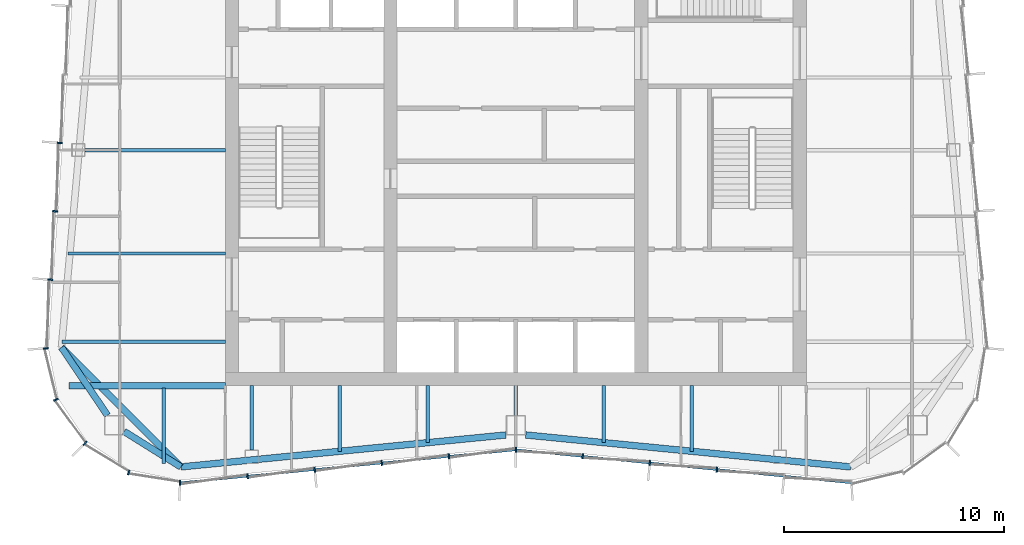
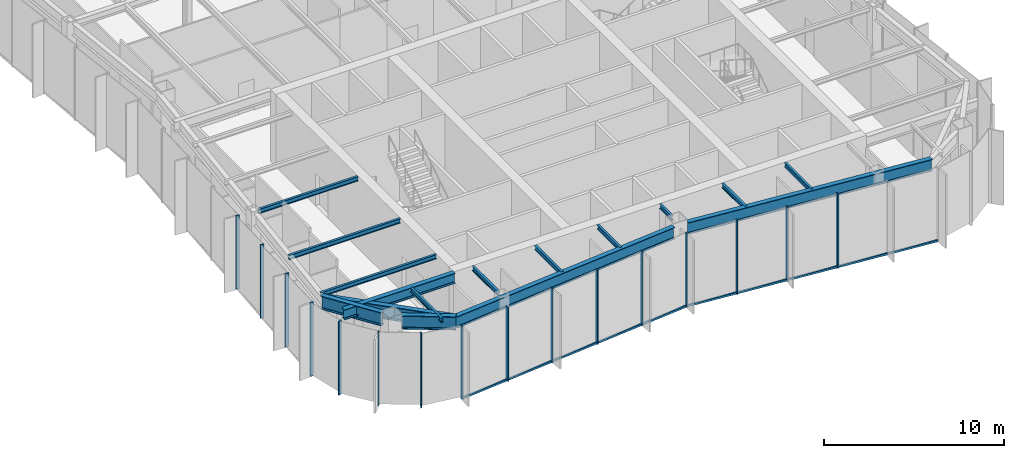
# One storey, part 3 of 14: 18 members, 16 beams, 3 elements without a shape of their own.
"""IFC4 building model written with IfcOpenShell, lengths in metres."""

from ifc_helpers import new_model, si_unit, direction, frame, origin, origin_2d, place, context, subcontext, project, spatial, rectangle, i_section, extrude, material, material_profile, profile_set, type_object, element, aggregate, save


model = new_model("IFC4")

# Units and contexts
model_context = context("Model", 3, precision=1e-05, world=origin(), true_north=direction((0.0, 1.0)))
body_context = subcontext(model_context, "Body", "Model", "MODEL_VIEW")
ifc_project = project(units=[si_unit("LENGTHUNIT", "METRE"), si_unit("AREAUNIT", "SQUARE_METRE"), si_unit("VOLUMEUNIT", "CUBIC_METRE"), si_unit("PLANEANGLEUNIT", "RADIAN"), si_unit("MASSUNIT", "GRAM", prefix="KILO")], contexts=[model_context])

# Site, building, storey
site_placement = place(None, origin())
site = spatial("IfcSite", under=ifc_project, at=site_placement, CompositionType="ELEMENT")
building_placement = place(site_placement, origin())
building = spatial("IfcBuilding", under=site, at=building_placement, Name="Verdant Reach Tower", CompositionType="ELEMENT")
storey_placement = place(building_placement, frame((0.0, 0.0, 289.0)))
storey = spatial("IfcBuildingStorey", under=building, at=storey_placement, Name="L66", CompositionType="ELEMENT", Elevation=289.0)

# Curtain wall, members
ifc_material_1 = material(Name="Anodised aluminium", Category="aluminium")
curtain_wall_type = type_object("IfcCurtainWallType", Name="EN-CW SYSTEM Z5", PredefinedType="NOTDEFINED", material=ifc_material_1)
curtain_wall_1_placement = place(storey_placement, origin())
curtain_wall_1 = element("IfcCurtainWall", 1, at=curtain_wall_1_placement, inside=storey, type_object=curtain_wall_type, Name="Curtain wall west, L66", PredefinedType="NOTDEFINED")
ifc_material_profile_1 = material_profile(ifc_material_1, rectangle(XDim=0.22998046875, YDim=0.070068359375, at=origin_2d()), Name="Mullion 70x230")
ifc_profile_set_1 = profile_set([ifc_material_profile_1], Name="Anodised aluminium")
member_type_1 = type_object("IfcMemberType", Name="EN-MULLION Z5", PredefinedType="MULLION", material=ifc_profile_set_1)
member_1_placement = place(storey_placement, frame((-20.721923828125, 28.829345703125, -0.35009765625), z_axis=(0.0, 0.0, 1.0), x_axis=(-0.997630328423, 0.068802091615, 0.0)))
member_1 = element("IfcMember", 2, at=member_1_placement, type_object=member_type_1, Name="Mullion west face part 2 5, L66", PredefinedType="MULLION", context=body_context, shape_type="SweptSolid", body=[
    extrude(rectangle(XDim=0.22998046875, YDim=0.070068359375, at=origin_2d()), origin(), (0.0, 0.0, 1.0), 5.0),
])
member_2_placement = place(storey_placement, frame((-20.93603515625, 25.72216796875, -0.35009765625), z_axis=(0.0, 0.0, 1.0), x_axis=(-0.997630328423, 0.068802091615, 0.0)))
member_2 = element("IfcMember", 3, at=member_2_placement, type_object=member_type_1, Name="Mullion west face part 2 6, L66", PredefinedType="MULLION", context=body_context, shape_type="SweptSolid", body=[
    extrude(rectangle(XDim=0.22998046875, YDim=0.070068359375, at=origin_2d()), origin(), (0.0, 0.0, 1.0), 5.0),
])
member_3_placement = place(storey_placement, frame((-21.150390625, 22.614990234375, -0.35009765625), z_axis=(0.0, 0.0, 1.0), x_axis=(-0.997630328423, 0.068802091615, 0.0)))
member_3 = element("IfcMember", 4, at=member_3_placement, type_object=member_type_1, Name="Mullion west face part 2 7, L66", PredefinedType="MULLION", context=body_context, shape_type="SweptSolid", body=[
    extrude(rectangle(XDim=0.22998046875, YDim=0.070068359375, at=origin_2d()), origin(), (0.0, 0.0, 1.0), 5.0),
])
aggregate(curtain_wall_1, [member_1, member_2, member_3])

curtain_wall_2_placement = place(storey_placement, origin())
curtain_wall_2 = element("IfcCurtainWall", 5, at=curtain_wall_2_placement, inside=storey, type_object=curtain_wall_type, Name="Curtain wall south-west corner, L66", PredefinedType="NOTDEFINED")
member_4_placement = place(storey_placement, frame((-21.36474609375, 19.49267578125, -0.35009765625), z_axis=(0.0, 0.0, 1.0), x_axis=(-0.997969180898, -0.063698618332, 0.0)))
member_4 = element("IfcMember", 6, at=member_4_placement, type_object=member_type_1, Name="Mullion south-west corner 1, L66", PredefinedType="MULLION", context=body_context, shape_type="SweptSolid", body=[
    extrude(rectangle(XDim=0.22998046875, YDim=0.070068359375, at=origin_2d()), origin(), (0.0, 0.0, 1.0), 5.0),
])
member_5_placement = place(storey_placement, frame((-20.899658203125, 17.159912109375, -0.35009765625), z_axis=(0.0, 0.0, 1.0), x_axis=(-0.923875215753, -0.382693853776, 0.0)))
member_5 = element("IfcMember", 7, at=member_5_placement, type_object=member_type_1, Name="Mullion south-west corner 2, L66", PredefinedType="MULLION", context=body_context, shape_type="SweptSolid", body=[
    extrude(rectangle(XDim=0.22998046875, YDim=0.070068359375, at=origin_2d()), origin(), (0.0, 0.0, 1.0), 5.0),
])
member_6_placement = place(storey_placement, frame((-19.573974609375, 15.176025390625, -0.35009765625), z_axis=(0.0, 0.0, 1.0), x_axis=(-0.707106781187, -0.707106781187, 0.0)))
member_6 = element("IfcMember", 8, at=member_6_placement, type_object=member_type_1, Name="Mullion south-west corner 3, L66", PredefinedType="MULLION", context=body_context, shape_type="SweptSolid", body=[
    extrude(rectangle(XDim=0.22998046875, YDim=0.070068359375, at=origin_2d()), origin(), (0.0, 0.0, 1.0), 5.0),
])
member_7_placement = place(storey_placement, frame((-17.590087890625, 13.850341796875, -0.35009765625), z_axis=(0.0, 0.0, 1.0), x_axis=(-0.382693853776, -0.923875215753, 0.0)))
member_7 = element("IfcMember", 9, at=member_7_placement, type_object=member_type_1, Name="Mullion south-west corner 4, L66", PredefinedType="MULLION", context=body_context, shape_type="SweptSolid", body=[
    extrude(rectangle(XDim=0.22998046875, YDim=0.070068359375, at=origin_2d()), origin(), (0.0, 0.0, 1.0), 5.0),
])
aggregate(curtain_wall_2, [member_4, member_5, member_6, member_7])

curtain_wall_3_placement = place(storey_placement, origin())
curtain_wall_3 = element("IfcCurtainWall", 10, at=curtain_wall_3_placement, inside=storey, type_object=curtain_wall_type, Name="Curtain wall south, L66", PredefinedType="NOTDEFINED")
member_8_placement = place(storey_placement, frame((-15.255615234375, 13.38525390625, -0.35009765625), z_axis=(0.0, 0.0, 1.0), x_axis=(-0.049127596288, -0.998792510626, 0.0)))
member_8 = element("IfcMember", 11, at=member_8_placement, type_object=member_type_1, Name="Mullion south face part 1 1, L66", PredefinedType="MULLION", context=body_context, shape_type="SweptSolid", body=[
    extrude(rectangle(XDim=0.22998046875, YDim=0.070068359375, at=origin_2d()), origin(), (0.0, 0.0, 1.0), 5.0),
])
member_9_placement = place(storey_placement, frame((-12.188720703125, 13.685546875, -0.35009765625), z_axis=(0.0, 0.0, 1.0), x_axis=(0.09788826992, -0.995197410875, 0.0)))
member_9 = element("IfcMember", 12, at=member_9_placement, type_object=member_type_1, Name="Mullion south face part 1 2, L66", PredefinedType="MULLION", context=body_context, shape_type="SweptSolid", body=[
    extrude(rectangle(XDim=0.22998046875, YDim=0.070068359375, at=origin_2d()), origin(), (0.0, 0.0, 1.0), 5.0),
])
member_10_placement = place(storey_placement, frame((-9.138671875, 13.985595703125, -0.35009765625), z_axis=(0.0, 0.0, 1.0), x_axis=(0.09788826992, -0.995197410875, 0.0)))
member_10 = element("IfcMember", 13, at=member_10_placement, type_object=member_type_1, Name="Mullion south face part 1 3, L66", PredefinedType="MULLION", context=body_context, shape_type="SweptSolid", body=[
    extrude(rectangle(XDim=0.22998046875, YDim=0.070068359375, at=origin_2d()), origin(), (0.0, 0.0, 1.0), 5.0),
])
member_11_placement = place(storey_placement, frame((-6.088623046875, 14.28564453125, -0.35009765625), z_axis=(0.0, 0.0, 1.0), x_axis=(0.09788826992, -0.995197410875, 0.0)))
member_11 = element("IfcMember", 14, at=member_11_placement, type_object=member_type_1, Name="Mullion south face part 1 4, L66", PredefinedType="MULLION", context=body_context, shape_type="SweptSolid", body=[
    extrude(rectangle(XDim=0.22998046875, YDim=0.070068359375, at=origin_2d()), origin(), (0.0, 0.0, 1.0), 5.0),
])
member_12_placement = place(storey_placement, frame((-3.038818359375, 14.58544921875, -0.35009765625), z_axis=(0.0, 0.0, 1.0), x_axis=(0.09788826992, -0.995197410875, 0.0)))
member_12 = element("IfcMember", 15, at=member_12_placement, type_object=member_type_1, Name="Mullion south face part 1 5, L66", PredefinedType="MULLION", context=body_context, shape_type="SweptSolid", body=[
    extrude(rectangle(XDim=0.22998046875, YDim=0.070068359375, at=origin_2d()), origin(), (0.0, 0.0, 1.0), 5.0),
])
member_13_placement = place(storey_placement, frame((0.0, 14.885009765625, -0.35009765625), z_axis=(0.0, 0.0, 1.0), x_axis=(0.0, -1.0, 0.0)))
member_13 = element("IfcMember", 16, at=member_13_placement, type_object=member_type_1, Name="Mullion south face part 2 1, L66", PredefinedType="MULLION", context=body_context, shape_type="SweptSolid", body=[
    extrude(rectangle(XDim=0.22998046875, YDim=0.070068359375, at=origin_2d()), origin(), (0.0, 0.0, 1.0), 5.0),
])
member_14_placement = place(storey_placement, frame((3.038818359375, 14.58544921875, -0.35009765625), z_axis=(0.0, 0.0, 1.0), x_axis=(-0.09788826992, -0.995197410875, 0.0)))
member_14 = element("IfcMember", 17, at=member_14_placement, type_object=member_type_1, Name="Mullion south face part 2 2, L66", PredefinedType="MULLION", context=body_context, shape_type="SweptSolid", body=[
    extrude(rectangle(XDim=0.22998046875, YDim=0.070068359375, at=origin_2d()), origin(), (0.0, 0.0, 1.0), 5.0),
])
member_15_placement = place(storey_placement, frame((6.088623046875, 14.28564453125, -0.35009765625), z_axis=(0.0, 0.0, 1.0), x_axis=(-0.09788826992, -0.995197410875, 0.0)))
member_15 = element("IfcMember", 18, at=member_15_placement, type_object=member_type_1, Name="Mullion south face part 2 3, L66", PredefinedType="MULLION", context=body_context, shape_type="SweptSolid", body=[
    extrude(rectangle(XDim=0.22998046875, YDim=0.070068359375, at=origin_2d()), origin(), (0.0, 0.0, 1.0), 5.0),
])
member_16_placement = place(storey_placement, frame((9.138671875, 13.985595703125, -0.35009765625), z_axis=(0.0, 0.0, 1.0), x_axis=(-0.09788826992, -0.995197410875, 0.0)))
member_16 = element("IfcMember", 19, at=member_16_placement, type_object=member_type_1, Name="Mullion south face part 2 4, L66", PredefinedType="MULLION", context=body_context, shape_type="SweptSolid", body=[
    extrude(rectangle(XDim=0.22998046875, YDim=0.070068359375, at=origin_2d()), origin(), (0.0, 0.0, 1.0), 5.0),
])
ifc_material_profile_2 = material_profile(ifc_material_1, rectangle(XDim=0.10009765625, YDim=0.1298828125, at=origin_2d()), Name="Transom 130x100")
ifc_profile_set_2 = profile_set([ifc_material_profile_2], Name="Anodised aluminium")
member_type_2 = type_object("IfcMemberType", Name="EN-TRANSOM Z5", PredefinedType="USERDEFINED", material=ifc_profile_set_2)
member_17_placement = place(storey_placement, frame((-15.220703125, 13.388671875, -0.284912109375), z_axis=(0.99520229006, 0.097838652171, 0.0), x_axis=(-0.097838652171, 0.99520229006, 0.0)))
member_17 = element("IfcMember", 20, at=member_17_placement, type_object=member_type_2, Name="Transom south face part 1 1.1, L66", ObjectType="TRANSOM", PredefinedType="USERDEFINED", context=body_context, shape_type="SweptSolid", body=[
    extrude(rectangle(XDim=0.10009765625, YDim=0.1298828125, at=origin_2d()), origin(), (0.0, 0.0, 1.0), 15.259033203125),
])
member_18_placement = place(storey_placement, frame((0.034912109375, 14.881591796875, -0.284912109375), z_axis=(0.99520229006, -0.097838652171, 0.0), x_axis=(0.097838652171, 0.99520229006, 0.0)))
member_18 = element("IfcMember", 21, at=member_18_placement, type_object=member_type_2, Name="Transom south face part 2 1.1, L66", ObjectType="TRANSOM", PredefinedType="USERDEFINED", context=body_context, shape_type="SweptSolid", body=[
    extrude(rectangle(XDim=0.10009765625, YDim=0.1298828125, at=origin_2d()), origin(), (0.0, 0.0, 1.0), 15.259033203125),
])
aggregate(curtain_wall_3, [member_8, member_9, member_10, member_11, member_12, member_17, member_13, member_14, member_15, member_16, member_18])

# Beams
ifc_material_2 = material(Name="Steel S355", Category="steel")
ifc_material_profile_3 = material_profile(ifc_material_2, i_section(OverallWidth=0.300048828125, OverallDepth=0.699951171875, WebThickness=0.01708984375, FlangeThickness=0.031982421875, FilletRadius=0.027099609375, at=origin_2d()), Name="HEB 700")
ifc_profile_set_3 = profile_set([ifc_material_profile_3], Name="Steel S355")
beam_type_1 = type_object("IfcBeamType", Name="ST-BEAM-HEB700", PredefinedType="BEAM", material=ifc_profile_set_3)
beam_1_placement = place(storey_placement, frame((-13.199951171875, 17.800048828125, 4.52001953125), z_axis=(-1.0, 0.0, 0.0), x_axis=(0.0, -1.0, 0.0)))
element("IfcBeam", 22, at=beam_1_placement, inside=storey, type_object=beam_type_1, Name="Trimmer beam, L66", PredefinedType="BEAM", context=body_context, shape_type="SweptSolid", body=[
    extrude(i_section(OverallWidth=0.300048828125, OverallDepth=0.699951171875, WebThickness=0.01708984375, FlangeThickness=0.031982421875, FilletRadius=0.027099609375, at=origin_2d()), origin(), (0.0, 0.0, 1.0), 7.10009765625),
])
ifc_material_profile_4 = material_profile(ifc_material_2, i_section(OverallWidth=0.302001953125, OverallDepth=0.909912109375, WebThickness=0.02099609375, FlangeThickness=0.0400390625, FilletRadius=0.030029296875, at=origin_2d()), Name="HEM 900")
ifc_profile_set_4 = profile_set([ifc_material_profile_4], Name="Steel S355")
beam_type_2 = type_object("IfcBeamType", Name="ST-BEAM-HEM900", PredefinedType="BEAM", material=ifc_profile_set_4)
beam_2_placement = place(storey_placement, frame((-17.800048828125, 15.71875, 4.4150390625), z_axis=(0.847903624467, -0.530150397166, 0.0), x_axis=(0.530150397166, 0.847903624467, 0.0)))
element("IfcBeam", 23, at=beam_2_placement, inside=storey, type_object=beam_type_2, Name="Column stub beam, L66", PredefinedType="BEAM", context=body_context, shape_type="SweptSolid", body=[
    extrude(i_section(OverallWidth=0.302001953125, OverallDepth=0.909912109375, WebThickness=0.02099609375, FlangeThickness=0.0400390625, FilletRadius=0.030029296875, at=origin_2d()), origin(), (0.0, 0.0, 1.0), 3.042724609375),
])
beam_3_placement = place(storey_placement, frame((-18.5546875, 16.449951171875, 4.4150390625), z_axis=(-0.560667226688, 0.828041219335, 0.0), x_axis=(-0.828041219335, -0.560667226688, 0.0)))
element("IfcBeam", 24, at=beam_3_placement, inside=storey, type_object=beam_type_2, Name="Column stub beam, L66", PredefinedType="BEAM", context=body_context, shape_type="SweptSolid", body=[
    extrude(i_section(OverallWidth=0.302001953125, OverallDepth=0.909912109375, WebThickness=0.02099609375, FlangeThickness=0.0400390625, FilletRadius=0.030029296875, at=origin_2d()), origin(), (0.0, 0.0, 1.0), 3.72998046875),
])
ifc_material_profile_5 = material_profile(ifc_material_2, i_section(OverallWidth=0.14990234375, OverallDepth=0.300048828125, WebThickness=0.007080078125, FlangeThickness=0.0107421875, FilletRadius=0.014892578125, at=origin_2d()), Name="IPE 300")
ifc_profile_set_5 = profile_set([ifc_material_profile_5], Name="Steel S355")
beam_type_3 = type_object("IfcBeamType", Name="ST-JOIST-IPE300", PredefinedType="JOIST", material=ifc_profile_set_5)
beam_4_placement = place(storey_placement, frame((-16.0, 17.699951171875, 4.719970703125), z_axis=(0.0, -1.0, 0.0), x_axis=(1.0, 0.0, 0.0)))
element("IfcBeam", 25, at=beam_4_placement, inside=storey, type_object=beam_type_3, Name="Floor joist, L66", PredefinedType="JOIST", context=body_context, shape_type="SweptSolid", body=[
    extrude(i_section(OverallWidth=0.14990234375, OverallDepth=0.300048828125, WebThickness=0.007080078125, FlangeThickness=0.0107421875, FilletRadius=0.014892578125, at=origin_2d()), origin(), (0.0, 0.0, 1.0), 3.43896484375),
])
beam_5_placement = place(storey_placement, frame((-12.0, 17.800048828125, 4.719970703125), z_axis=(0.0, -1.0, 0.0), x_axis=(1.0, 0.0, 0.0)))
element("IfcBeam", 26, at=beam_5_placement, inside=storey, type_object=beam_type_3, Name="Floor joist, L66", PredefinedType="JOIST", context=body_context, shape_type="SweptSolid", body=[
    extrude(i_section(OverallWidth=0.14990234375, OverallDepth=0.300048828125, WebThickness=0.007080078125, FlangeThickness=0.0107421875, FilletRadius=0.014892578125, at=origin_2d()), origin(), (0.0, 0.0, 1.0), 2.930419921875),
])
beam_6_placement = place(storey_placement, frame((-8.0, 17.800048828125, 4.719970703125), z_axis=(0.0, -1.0, 0.0), x_axis=(1.0, 0.0, 0.0)))
element("IfcBeam", 27, at=beam_6_placement, inside=storey, type_object=beam_type_3, Name="Floor joist, L66", PredefinedType="JOIST", context=body_context, shape_type="SweptSolid", body=[
    extrude(i_section(OverallWidth=0.14990234375, OverallDepth=0.300048828125, WebThickness=0.007080078125, FlangeThickness=0.0107421875, FilletRadius=0.014892578125, at=origin_2d()), origin(), (0.0, 0.0, 1.0), 2.984130859375),
])
beam_7_placement = place(storey_placement, frame((-4.0, 17.800048828125, 4.719970703125), z_axis=(0.0, -1.0, 0.0), x_axis=(1.0, 0.0, 0.0)))
element("IfcBeam", 28, at=beam_7_placement, inside=storey, type_object=beam_type_3, Name="Floor joist, L66", PredefinedType="JOIST", context=body_context, shape_type="SweptSolid", body=[
    extrude(i_section(OverallWidth=0.14990234375, OverallDepth=0.300048828125, WebThickness=0.007080078125, FlangeThickness=0.0107421875, FilletRadius=0.014892578125, at=origin_2d()), origin(), (0.0, 0.0, 1.0), 2.590576171875),
])
beam_8_placement = place(storey_placement, frame((0.0, 17.800048828125, 4.719970703125), z_axis=(0.0, -1.0, 0.0), x_axis=(1.0, 0.0, 0.0)))
element("IfcBeam", 29, at=beam_8_placement, inside=storey, type_object=beam_type_3, Name="Floor joist, L66", PredefinedType="JOIST", context=body_context, shape_type="SweptSolid", body=[
    extrude(i_section(OverallWidth=0.14990234375, OverallDepth=0.300048828125, WebThickness=0.007080078125, FlangeThickness=0.0107421875, FilletRadius=0.014892578125, at=origin_2d()), origin(), (0.0, 0.0, 1.0), 1.35009765625),
])
beam_9_placement = place(storey_placement, frame((4.0, 17.800048828125, 4.719970703125), z_axis=(0.0, -1.0, 0.0), x_axis=(1.0, 0.0, 0.0)))
element("IfcBeam", 30, at=beam_9_placement, inside=storey, type_object=beam_type_3, Name="Floor joist, L66", PredefinedType="JOIST", context=body_context, shape_type="SweptSolid", body=[
    extrude(i_section(OverallWidth=0.14990234375, OverallDepth=0.300048828125, WebThickness=0.007080078125, FlangeThickness=0.0107421875, FilletRadius=0.014892578125, at=origin_2d()), origin(), (0.0, 0.0, 1.0), 2.590576171875),
])
beam_10_placement = place(storey_placement, frame((8.0, 17.800048828125, 4.719970703125), z_axis=(0.0, -1.0, 0.0), x_axis=(1.0, 0.0, 0.0)))
element("IfcBeam", 31, at=beam_10_placement, inside=storey, type_object=beam_type_3, Name="Floor joist, L66", PredefinedType="JOIST", context=body_context, shape_type="SweptSolid", body=[
    extrude(i_section(OverallWidth=0.14990234375, OverallDepth=0.300048828125, WebThickness=0.007080078125, FlangeThickness=0.0107421875, FilletRadius=0.014892578125, at=origin_2d()), origin(), (0.0, 0.0, 1.0), 2.984130859375),
])
beam_11_placement = place(storey_placement, frame((-13.199951171875, 19.800048828125, 4.719970703125), z_axis=(-1.0, 0.0, 0.0), x_axis=(0.0, -1.0, 0.0)))
element("IfcBeam", 32, at=beam_11_placement, inside=storey, type_object=beam_type_3, Name="Floor joist, L66", PredefinedType="JOIST", context=body_context, shape_type="SweptSolid", body=[
    extrude(i_section(OverallWidth=0.14990234375, OverallDepth=0.300048828125, WebThickness=0.007080078125, FlangeThickness=0.0107421875, FilletRadius=0.014892578125, at=origin_2d()), origin(), (0.0, 0.0, 1.0), 7.427978515625),
])
beam_12_placement = place(storey_placement, frame((-13.199951171875, 23.800048828125, 4.719970703125), z_axis=(-1.0, 0.0, 0.0), x_axis=(0.0, -1.0, 0.0)))
element("IfcBeam", 33, at=beam_12_placement, inside=storey, type_object=beam_type_3, Name="Floor joist, L66", PredefinedType="JOIST", context=body_context, shape_type="SweptSolid", body=[
    extrude(i_section(OverallWidth=0.14990234375, OverallDepth=0.300048828125, WebThickness=0.007080078125, FlangeThickness=0.0107421875, FilletRadius=0.014892578125, at=origin_2d()), origin(), (0.0, 0.0, 1.0), 7.152099609375),
])
beam_13_placement = place(storey_placement, frame((-13.199951171875, 28.5, 4.719970703125), z_axis=(-1.0, 0.0, 0.0), x_axis=(0.0, -1.0, 0.0)))
element("IfcBeam", 34, at=beam_13_placement, inside=storey, type_object=beam_type_3, Name="Floor joist, L66", PredefinedType="JOIST", context=body_context, shape_type="SweptSolid", body=[
    extrude(i_section(OverallWidth=0.14990234375, OverallDepth=0.300048828125, WebThickness=0.007080078125, FlangeThickness=0.0107421875, FilletRadius=0.014892578125, at=origin_2d()), origin(), (0.0, 0.0, 1.0), 6.37939453125),
])
ifc_material_profile_6 = material_profile(ifc_material_2, i_section(OverallWidth=0.300048828125, OverallDepth=0.800048828125, WebThickness=0.017578125, FlangeThickness=0.032958984375, FilletRadius=0.030029296875, at=origin_2d()), Name="HEB 800")
ifc_profile_set_6 = profile_set([ifc_material_profile_6], Name="Steel S355")
beam_type_4 = type_object("IfcBeamType", Name="ST-SPANDREL-HEB800", PredefinedType="SPANDREL", material=ifc_profile_set_6)
for number, where, z_axis, x_axis, name in (
    (35, (15.22021484375, 14.105712890625, 4.469970703125), (-0.995196964263, 0.097892810366, 0.0), (-0.097892810366, -0.995196964263, 0.0), "Edge beam, L66"),
    (36, (-0.449951171875, 15.55859375, 4.469970703125), (-0.995196964263, -0.097892810366, 0.0), (0.097892810366, -0.995196964263, 0.0), "Edge beam, L66"),
):
    element("IfcBeam", number, at=place(storey_placement, frame(where, z_axis=z_axis, x_axis=x_axis)), inside=storey, type_object=beam_type_4, Name=name, PredefinedType="SPANDREL", context=body_context, shape_type="SweptSolid", body=[
        extrude(i_section(OverallWidth=0.300048828125, OverallDepth=0.800048828125, WebThickness=0.017578125, FlangeThickness=0.032958984375, FilletRadius=0.030029296875, at=origin_2d()), origin(), (0.0, 0.0, 1.0), 14.841552734375),
    ])
ifc_material_profile_7 = material_profile(ifc_material_2, i_section(OverallWidth=0.302001953125, OverallDepth=0.909912109375, WebThickness=0.02099609375, FlangeThickness=0.0400390625, FilletRadius=0.030029296875, at=origin_2d()), Name="HEM 900")
ifc_profile_set_7 = profile_set([ifc_material_profile_7], Name="Steel S355")
beam_type_5 = type_object("IfcBeamType", Name="ST-SPANDREL-HEM900", PredefinedType="SPANDREL", material=ifc_profile_set_7)
beam_14_placement = place(storey_placement, frame((-15.22021484375, 14.105712890625, 4.4150390625), z_axis=(-0.706645581521, 0.707567680237, 0.0), x_axis=(-0.707567680237, -0.706645581521, 0.0)))
element("IfcBeam", 37, at=beam_14_placement, inside=storey, type_object=beam_type_5, Name="Edge beam, L66", PredefinedType="SPANDREL", context=body_context, shape_type="SweptSolid", body=[
    extrude(i_section(OverallWidth=0.302001953125, OverallDepth=0.909912109375, WebThickness=0.02099609375, FlangeThickness=0.0400390625, FilletRadius=0.030029296875, at=origin_2d()), origin(), (0.0, 0.0, 1.0), 7.67822265625),
])

save(model, "model.ifc")
